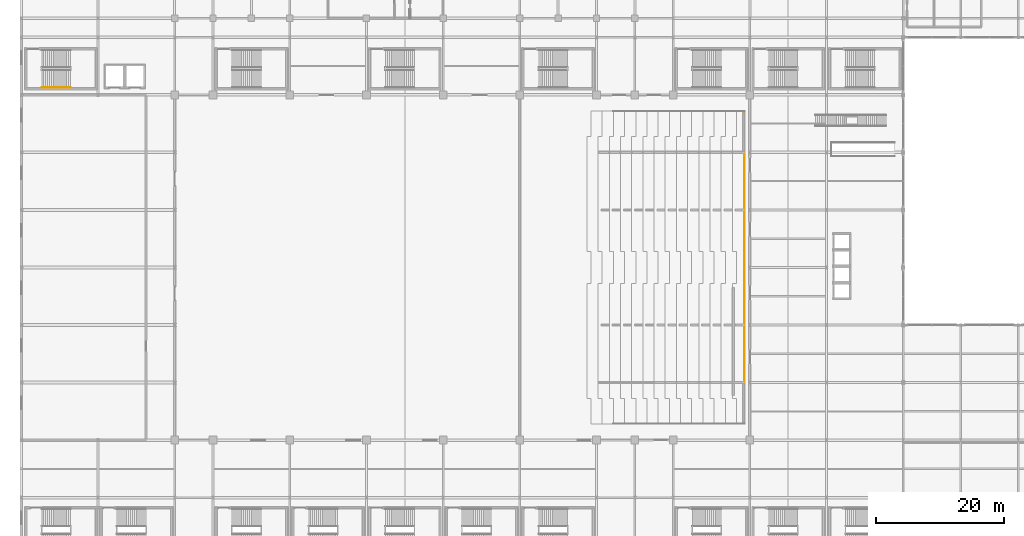
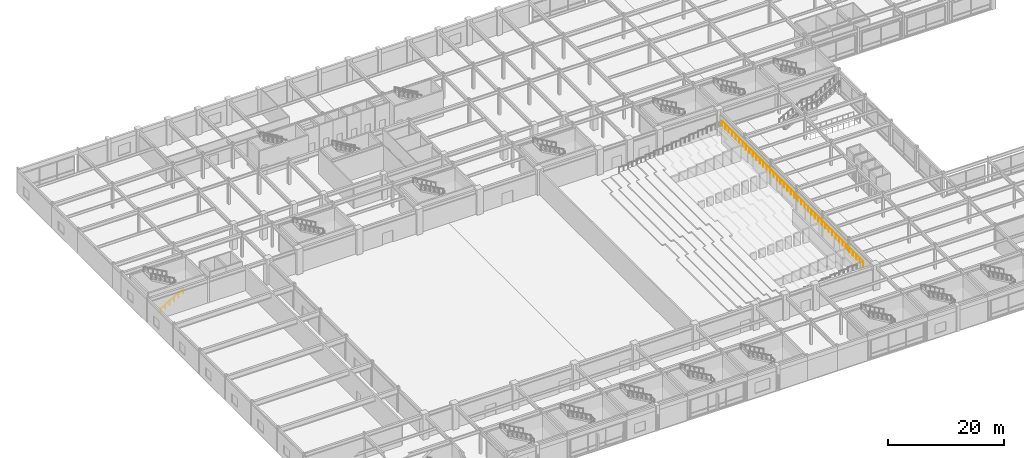
# One storey, part 94 of 100: 2 railings.
"""IFC4 building model written with IfcOpenShell, lengths in metres."""

from ifc_helpers import new_model, si_unit, direction, frame, origin, origin_2d, place, context, subcontext, project, spatial, circle, extrude, material, type_object, element, save


model = new_model("IFC4")

# Units and contexts
model_context = context("Model", 3, precision=1e-05, world=origin(), true_north=direction((0.0, 1.0)))
body_context = subcontext(model_context, "Body", "Model", "MODEL_VIEW")
ifc_project = project(units=[si_unit("LENGTHUNIT", "METRE"), si_unit("AREAUNIT", "SQUARE_METRE"), si_unit("VOLUMEUNIT", "CUBIC_METRE"), si_unit("PLANEANGLEUNIT", "RADIAN"), si_unit("MASSUNIT", "GRAM", prefix="KILO")], contexts=[model_context])

# Site, building, storey
site_placement = place(None, origin())
site = spatial("IfcSite", under=ifc_project, at=site_placement, CompositionType="ELEMENT")
building_placement = place(site_placement, origin())
building = spatial("IfcBuilding", under=site, at=building_placement, Name="Kaldorvane Square Convention Centre", CompositionType="ELEMENT")
storey_placement = place(building_placement, frame((0.0, 0.0, 18.0)))
storey = spatial("IfcBuildingStorey", under=building, at=storey_placement, Name="L03", CompositionType="ELEMENT", Elevation=18.0)

# Railings
ifc_material = material(Name="Architectural Painted Steel", Category="steel")
railing_type_1 = type_object("IfcRailingType", Name="RL-GUARD-1120", PredefinedType="BALUSTRADE", material=ifc_material)
railing_1_placement = place(storey_placement, frame((113.13999938964844, 20.55999755859375, 3.3800048828125)))
element("IfcRailing", 1, at=railing_1_placement, inside=storey, type_object=railing_type_1, Name="Plenary Tier 14 Rear Balcony Guard", PredefinedType="BALUSTRADE", context=body_context, shape_type="SweptSolid", body=[
    extrude(circle(Radius=0.0240020751953125, at=origin_2d()), frame((0.0, 0.0, 1.0959930419921875), z_axis=(0.0, 1.0, 0.0), x_axis=(-1.0, 0.0, 0.0)), (0.0, 0.0, 1.0), 48.8800048828125),
    extrude(circle(Radius=0.02099609375, at=origin_2d()), origin(), (0.0, 0.0, 1.0), 1.071990966796875),
    extrude(circle(Radius=0.02099609375, at=origin_2d()), frame((0.0, 1.19219970703125, 0.0)), (0.0, 0.0, 1.0), 1.071990966796875),
    extrude(circle(Radius=0.02099609375, at=origin_2d()), frame((0.0, 2.3843841552734375, 0.0)), (0.0, 0.0, 1.0), 1.071990966796875),
    extrude(circle(Radius=0.02099609375, at=origin_2d()), frame((0.0, 3.5765838623046875, 0.0)), (0.0, 0.0, 1.0), 1.071990966796875),
    extrude(circle(Radius=0.02099609375, at=origin_2d()), frame((0.0, 4.7687835693359375, 0.0)), (0.0, 0.0, 1.0), 1.071990966796875),
    extrude(circle(Radius=0.02099609375, at=origin_2d()), frame((0.0, 5.9609832763671875, 0.0)), (0.0, 0.0, 1.0), 1.071990966796875),
    extrude(circle(Radius=0.02099609375, at=origin_2d()), frame((0.0, 7.153167724609375, 0.0)), (0.0, 0.0, 1.0), 1.071990966796875),
    extrude(circle(Radius=0.02099609375, at=origin_2d()), frame((0.0, 8.345367431640625, 0.0)), (0.0, 0.0, 1.0), 1.071990966796875),
    extrude(circle(Radius=0.02099609375, at=origin_2d()), frame((0.0, 9.537567138671875, 0.0)), (0.0, 0.0, 1.0), 1.071990966796875),
    extrude(circle(Radius=0.02099609375, at=origin_2d()), frame((0.0, 10.729751586914062, 0.0)), (0.0, 0.0, 1.0), 1.071990966796875),
    extrude(circle(Radius=0.02099609375, at=origin_2d()), frame((0.0, 11.921951293945312, 0.0)), (0.0, 0.0, 1.0), 1.071990966796875),
    extrude(circle(Radius=0.02099609375, at=origin_2d()), frame((0.0, 13.114151000976562, 0.0)), (0.0, 0.0, 1.0), 1.071990966796875),
    extrude(circle(Radius=0.02099609375, at=origin_2d()), frame((0.0, 14.30633544921875, 0.0)), (0.0, 0.0, 1.0), 1.071990966796875),
    extrude(circle(Radius=0.02099609375, at=origin_2d()), frame((0.0, 15.49853515625, 0.0)), (0.0, 0.0, 1.0), 1.071990966796875),
    extrude(circle(Radius=0.02099609375, at=origin_2d()), frame((0.0, 16.69073486328125, 0.0)), (0.0, 0.0, 1.0), 1.071990966796875),
    extrude(circle(Radius=0.02099609375, at=origin_2d()), frame((0.0, 17.8829345703125, 0.0)), (0.0, 0.0, 1.0), 1.071990966796875),
    extrude(circle(Radius=0.02099609375, at=origin_2d()), frame((0.0, 19.075119018554688, 0.0)), (0.0, 0.0, 1.0), 1.071990966796875),
    extrude(circle(Radius=0.02099609375, at=origin_2d()), frame((0.0, 20.267318725585938, 0.0)), (0.0, 0.0, 1.0), 1.071990966796875),
    extrude(circle(Radius=0.02099609375, at=origin_2d()), frame((0.0, 21.459518432617188, 0.0)), (0.0, 0.0, 1.0), 1.071990966796875),
    extrude(circle(Radius=0.02099609375, at=origin_2d()), frame((0.0, 22.651702880859375, 0.0)), (0.0, 0.0, 1.0), 1.071990966796875),
    extrude(circle(Radius=0.02099609375, at=origin_2d()), frame((0.0, 23.843902587890625, 0.0)), (0.0, 0.0, 1.0), 1.071990966796875),
    extrude(circle(Radius=0.02099609375, at=origin_2d()), frame((0.0, 25.036102294921875, 0.0)), (0.0, 0.0, 1.0), 1.071990966796875),
    extrude(circle(Radius=0.02099609375, at=origin_2d()), frame((0.0, 26.228302001953125, 0.0)), (0.0, 0.0, 1.0), 1.071990966796875),
    extrude(circle(Radius=0.02099609375, at=origin_2d()), frame((0.0, 27.420486450195312, 0.0)), (0.0, 0.0, 1.0), 1.071990966796875),
    extrude(circle(Radius=0.02099609375, at=origin_2d()), frame((0.0, 28.612686157226562, 0.0)), (0.0, 0.0, 1.0), 1.071990966796875),
    extrude(circle(Radius=0.02099609375, at=origin_2d()), frame((0.0, 29.804885864257812, 0.0)), (0.0, 0.0, 1.0), 1.071990966796875),
    extrude(circle(Radius=0.02099609375, at=origin_2d()), frame((0.0, 30.9970703125, 0.0)), (0.0, 0.0, 1.0), 1.071990966796875),
    extrude(circle(Radius=0.02099609375, at=origin_2d()), frame((0.0, 32.18927001953125, 0.0)), (0.0, 0.0, 1.0), 1.071990966796875),
    extrude(circle(Radius=0.02099609375, at=origin_2d()), frame((0.0, 33.3814697265625, 0.0)), (0.0, 0.0, 1.0), 1.071990966796875),
    extrude(circle(Radius=0.02099609375, at=origin_2d()), frame((0.0, 34.57366943359375, 0.0)), (0.0, 0.0, 1.0), 1.071990966796875),
    extrude(circle(Radius=0.02099609375, at=origin_2d()), frame((0.0, 35.76585388183594, 0.0)), (0.0, 0.0, 1.0), 1.071990966796875),
    extrude(circle(Radius=0.02099609375, at=origin_2d()), frame((0.0, 36.95805358886719, 0.0)), (0.0, 0.0, 1.0), 1.071990966796875),
    extrude(circle(Radius=0.02099609375, at=origin_2d()), frame((0.0, 38.15025329589844, 0.0)), (0.0, 0.0, 1.0), 1.071990966796875),
    extrude(circle(Radius=0.02099609375, at=origin_2d()), frame((0.0, 39.342437744140625, 0.0)), (0.0, 0.0, 1.0), 1.071990966796875),
    extrude(circle(Radius=0.02099609375, at=origin_2d()), frame((0.0, 40.534637451171875, 0.0)), (0.0, 0.0, 1.0), 1.071990966796875),
    extrude(circle(Radius=0.02099609375, at=origin_2d()), frame((0.0, 41.726837158203125, 0.0)), (0.0, 0.0, 1.0), 1.071990966796875),
    extrude(circle(Radius=0.02099609375, at=origin_2d()), frame((0.0, 42.91902160644531, 0.0)), (0.0, 0.0, 1.0), 1.071990966796875),
    extrude(circle(Radius=0.02099609375, at=origin_2d()), frame((0.0, 44.11122131347656, 0.0)), (0.0, 0.0, 1.0), 1.071990966796875),
    extrude(circle(Radius=0.02099609375, at=origin_2d()), frame((0.0, 45.30342102050781, 0.0)), (0.0, 0.0, 1.0), 1.071990966796875),
    extrude(circle(Radius=0.02099609375, at=origin_2d()), frame((0.0, 46.49562072753906, 0.0)), (0.0, 0.0, 1.0), 1.071990966796875),
    extrude(circle(Radius=0.02099609375, at=origin_2d()), frame((0.0, 47.68780517578125, 0.0)), (0.0, 0.0, 1.0), 1.071990966796875),
    extrude(circle(Radius=0.02099609375, at=origin_2d()), frame((0.0, 48.8800048828125, 0.0)), (0.0, 0.0, 1.0), 1.071990966796875),
])
railing_type_2 = type_object("IfcRailingType", Name="RL-HAND-915", PredefinedType="HANDRAIL", material=ifc_material)
railing_2_placement = place(storey_placement, frame((3.2100067138671875, 73.16999816894531, 0.1687469482421875)))
element("IfcRailing", 2, at=railing_2_placement, inside=storey, type_object=railing_type_2, Name="Convention Exit Stair C12 Wall Handrail 1 (L03)", PredefinedType="HANDRAIL", context=body_context, shape_type="SweptSolid", body=[
    extrude(circle(Radius=0.0240020751953125, at=origin_2d()), frame((0.0, 0.0, 0.8909912109375), z_axis=(0.871575537125, 0.0, 0.490261239633), x_axis=(0.0, 1.0, 0.0)), (0.0, 0.0, 1.0), 5.1630706787109375),
    extrude(circle(Radius=0.02099609375, at=origin_2d()), origin(), (0.0, 0.0, 1.0), 0.8669891357421875),
    extrude(circle(Radius=0.02099609375, at=origin_2d()), frame((0.899993896484375, 0.0, 0.506256103515625)), (0.0, 0.0, 1.0), 0.8669891357421875),
    extrude(circle(Radius=0.02099609375, at=origin_2d()), frame((1.8000030517578125, 0.0, 1.0124969482421875)), (0.0, 0.0, 1.0), 0.8669891357421875),
    extrude(circle(Radius=0.02099609375, at=origin_2d()), frame((2.6999969482421875, 0.0, 1.5187530517578125)), (0.0, 0.0, 1.0), 0.8669891357421875),
    extrude(circle(Radius=0.02099609375, at=origin_2d()), frame((3.600006103515625, 0.0, 2.024993896484375)), (0.0, 0.0, 1.0), 0.8669891357421875),
    extrude(circle(Radius=0.02099609375, at=origin_2d()), frame((4.5, 0.0, 2.53125)), (0.0, 0.0, 1.0), 0.8669891357421875),
])

save(model, "model.ifc")
